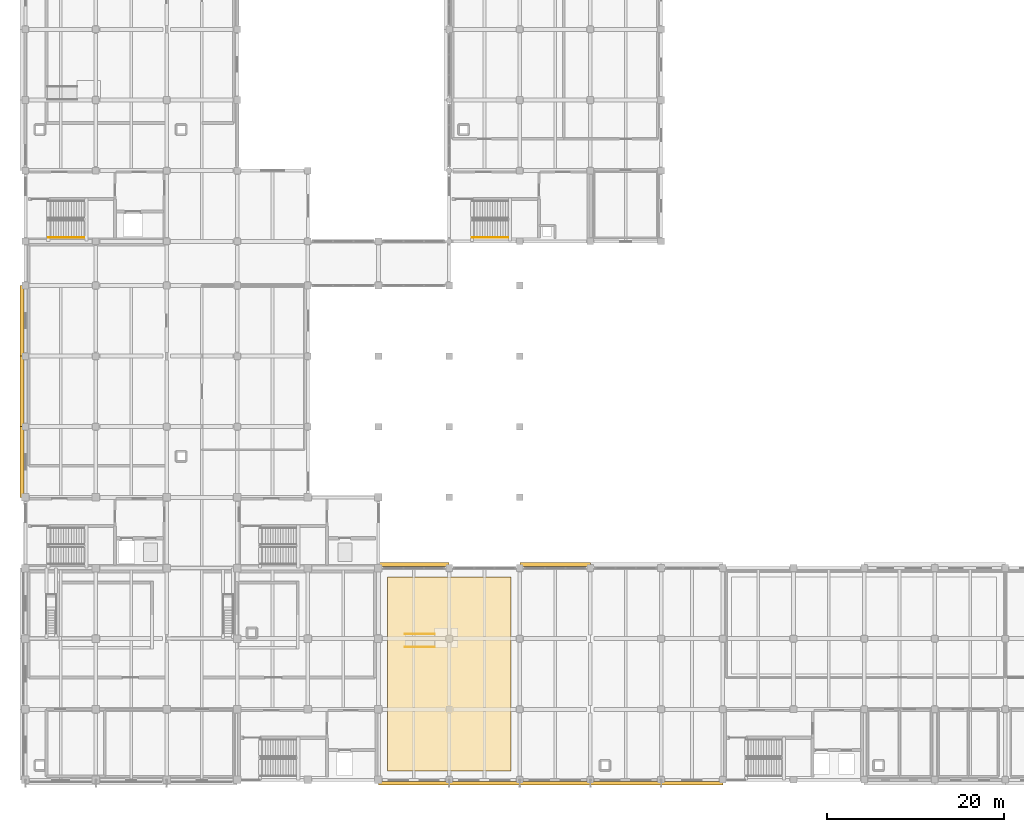
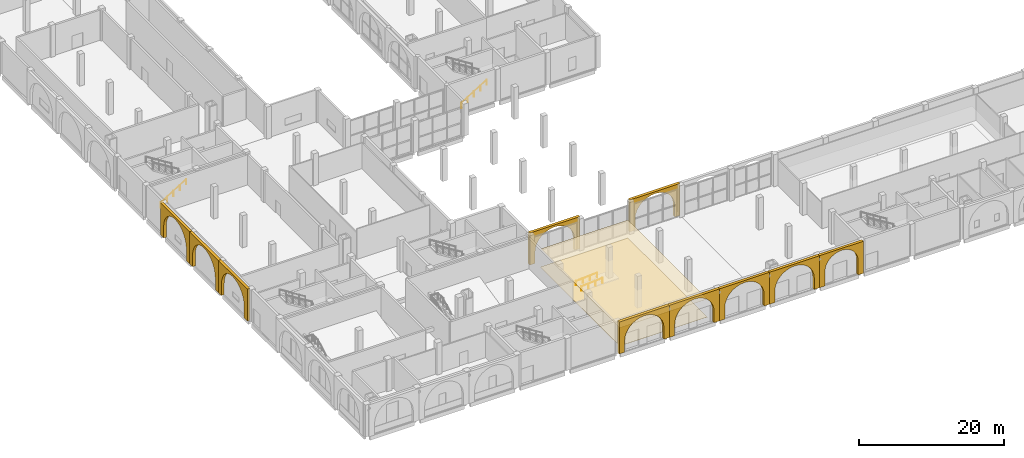
# One storey, part 32 of 40: 12 coverings, 4 railings.
"""IFC4 building model written with IfcOpenShell, lengths in metres."""

from ifc_helpers import new_model, si_unit, direction, frame, origin, origin_2d, place, context, subcontext, project, spatial, polyline, circle, outline, extrude, material, layer, layer_set, type_object, element, save


model = new_model("IFC4")

# Units and contexts
model_context = context("Model", 3, precision=1e-05, world=origin(), true_north=direction((0.0, 1.0)))
body_context = subcontext(model_context, "Body", "Model", "MODEL_VIEW")
ifc_project = project(units=[si_unit("LENGTHUNIT", "METRE"), si_unit("AREAUNIT", "SQUARE_METRE"), si_unit("VOLUMEUNIT", "CUBIC_METRE"), si_unit("PLANEANGLEUNIT", "RADIAN"), si_unit("MASSUNIT", "GRAM", prefix="KILO")], contexts=[model_context])

# Site, building, storey
site_placement = place(None, origin())
site = spatial("IfcSite", under=ifc_project, at=site_placement, CompositionType="ELEMENT")
building_placement = place(site_placement, origin())
building = spatial("IfcBuilding", under=site, at=building_placement, Name="Qorikala Patio Media Centre", CompositionType="ELEMENT")
storey_placement = place(building_placement, origin())
storey = spatial("IfcBuildingStorey", under=building, at=storey_placement, Name="L00", CompositionType="ELEMENT", Elevation=0.0)

# Coverings
ifc_material_1 = material(Name="Perforated Andean Timber Acoustic Ceiling", Category="wood")
ifc_layer_1 = layer(ifc_material_1, 0.0400390625)
ifc_layer_set_1 = layer_set([ifc_layer_1], Name="Perforated Andean Timber Acoustic Ceiling")
covering_type_1 = type_object("IfcCoveringType", Name="COV-CEIL-AC", PredefinedType="CEILING", material=ifc_layer_set_1)
covering_1_placement = place(storey_placement, frame((0.0, 0.0, 3.050048828125)))
element("IfcCovering", 1, at=covering_1_placement, inside=storey, type_object=covering_type_1, Name="L00 Acoustic Timber Ceiling 01", PredefinedType="CEILING", context=body_context, shape_type="SweptSolid", body=[
    extrude(outline(polyline([(44.0, 4.0), (58.0, 4.0), (58.0, 26.0), (44.0, 26.0), (44.0, 4.0)])), origin(), (0.0, 0.0, 1.0), 0.0400390625),
])
ifc_material_2 = material(Name="Comanche Granite Ashlar Stone", Category="masonry")
ifc_layer_2 = layer(ifc_material_2, 0.06005859375)
ifc_layer_set_2 = layer_set([ifc_layer_2], Name="Comanche Granite Ashlar Stone")
covering_type_2 = type_object("IfcCoveringType", Name="COV-CLAD-STONE", PredefinedType="CLADDING", material=ifc_layer_set_2)
for number, where, z_axis, x_axis, name in (
    (2, (43.0, 2.6201171875, 0.0), (0.0, 0.0, 1.0), (1.0, 0.0, 0.0), "Spanish Colonial Stone Arched Arcade PORT-S4"),
    (3, (51.0, 2.6201171875, 0.0), (0.0, 0.0, 1.0), (1.0, 0.0, 0.0), "Spanish Colonial Stone Arched Arcade PORT-S5"),
    (4, (59.0, 2.6201171875, 0.0), (0.0, 0.0, 1.0), (1.0, 0.0, 0.0), "Spanish Colonial Stone Arched Arcade PORT-S6"),
    (5, (67.0, 2.6201171875, 0.0), (0.0, 0.0, 1.0), (1.0, 0.0, 0.0), "Spanish Colonial Stone Arched Arcade PORT-S7"),
):
    element("IfcCovering", number, at=place(storey_placement, frame(where, z_axis=z_axis, x_axis=x_axis)), inside=storey, type_object=covering_type_2, Name=name, PredefinedType="CLADDING", context=body_context, shape_type="SweptSolid", body=[
        extrude(outline(polyline([(0.0, 0.0), (0.85009765625, 0.0), (0.85009765625, 1.929931640625), (0.928955078125, 2.630859375), (1.161865234375, 3.296630859375), (1.537109375, 3.893798828125), (2.035888671875, 4.392578125), (2.63330078125, 4.76806640625), (3.299072265625, 5.0009765625), (4.0, 5.079833984375), (4.700927734375, 5.0009765625), (5.36669921875, 4.76806640625), (5.964111328125, 4.392578125), (6.462890625, 3.893798828125), (6.838134765625, 3.296630859375), (7.071044921875, 2.630859375), (7.14990234375, 1.929931640625), (7.14990234375, 0.0), (8.0, 0.0), (8.0, 5.39990234375), (0.0, 5.39990234375), (0.0, 0.0)])), frame((0.0, 0.219970703125, 0.0), z_axis=(0.0, -1.0, 0.0), x_axis=(1.0, 0.0, 0.0)), (0.0, 0.0, 1.0), 0.43994140625),
    ])
covering_2_placement = place(storey_placement, frame((75.0, 2.6201171875, 0.0), z_axis=(0.0, 0.0, 1.0), x_axis=(1.0, 0.0, 0.0)))
element("IfcCovering", 6, at=covering_2_placement, inside=storey, type_object=covering_type_2, Name="Spanish Colonial Stone Arched Arcade PORT-S8", PredefinedType="CLADDING", context=body_context, shape_type="SweptSolid", body=[
    extrude(outline(polyline([(0.0, 0.0), (0.85009765625, 0.0), (0.85009765625, 2.429931640625), (0.91650390625, 3.01953125), (1.1123046875, 3.57958984375), (1.427978515625, 4.082275390625), (1.847900390625, 4.501708984375), (2.35009765625, 4.8173828125), (2.910400390625, 5.013427734375), (3.5, 5.079833984375), (4.089599609375, 5.013427734375), (4.64990234375, 4.8173828125), (5.152099609375, 4.501708984375), (5.572021484375, 4.082275390625), (5.8876953125, 3.57958984375), (6.08349609375, 3.01953125), (6.14990234375, 2.429931640625), (6.14990234375, 0.0), (7.0, 0.0), (7.0, 5.39990234375), (0.0, 5.39990234375), (0.0, 0.0)])), frame((0.0, 0.219970703125, 0.0), z_axis=(0.0, -1.0, 0.0), x_axis=(1.0, 0.0, 0.0)), (0.0, 0.0, 1.0), 0.43994140625),
])
for number, where, z_axis, x_axis, name in (
    (7, (2.6201171875, 35.0, 0.0), (0.0, 0.0, 1.0), (0.0, 1.0, 0.0), "Spanish Colonial Stone Arched Arcade PORT-W4"),
    (8, (2.6201171875, 43.0, 0.0), (0.0, 0.0, 1.0), (0.0, 1.0, 0.0), "Spanish Colonial Stone Arched Arcade PORT-W5"),
    (9, (2.6201171875, 51.0, 0.0), (0.0, 0.0, 1.0), (0.0, 1.0, 0.0), "Spanish Colonial Stone Arched Arcade PORT-W6"),
    (10, (43.0, 27.3798828125, 0.0), (0.0, 0.0, 1.0), (1.0, 0.0, 0.0), "Spanish Colonial Stone Arched Arcade PORT-P1"),
    (11, (59.0, 27.3798828125, 0.0), (0.0, 0.0, 1.0), (1.0, 0.0, 0.0), "Spanish Colonial Stone Arched Arcade PORT-P2"),
):
    element("IfcCovering", number, at=place(storey_placement, frame(where, z_axis=z_axis, x_axis=x_axis)), inside=storey, type_object=covering_type_2, Name=name, PredefinedType="CLADDING", context=body_context, shape_type="SweptSolid", body=[
        extrude(outline(polyline([(0.0, 0.0), (0.85009765625, 0.0), (0.85009765625, 1.929931640625), (0.928955078125, 2.630859375), (1.161865234375, 3.296630859375), (1.537109375, 3.893798828125), (2.035888671875, 4.392578125), (2.63330078125, 4.76806640625), (3.299072265625, 5.0009765625), (4.0, 5.079833984375), (4.700927734375, 5.0009765625), (5.36669921875, 4.76806640625), (5.964111328125, 4.392578125), (6.462890625, 3.893798828125), (6.838134765625, 3.296630859375), (7.071044921875, 2.630859375), (7.14990234375, 1.929931640625), (7.14990234375, 0.0), (8.0, 0.0), (8.0, 5.39990234375), (0.0, 5.39990234375), (0.0, 0.0)])), frame((0.0, 0.219970703125, 0.0), z_axis=(0.0, -1.0, 0.0), x_axis=(1.0, 0.0, 0.0)), (0.0, 0.0, 1.0), 0.43994140625),
    ])
ifc_material_3 = material(Name="Honed Comanche Granite Flooring", Category="masonry")
ifc_layer_3 = layer(ifc_material_3, 0.034912109375)
ifc_layer_set_3 = layer_set([ifc_layer_3], Name="Honed Comanche Granite Flooring")
covering_type_3 = type_object("IfcCoveringType", Name="COV-FLOR-STONE", PredefinedType="FLOORING", material=ifc_layer_set_3)
covering_3_placement = place(storey_placement, origin())
element("IfcCovering", 12, at=covering_3_placement, inside=storey, type_object=covering_type_3, Name="L00 Honed Comanche Granite Flooring 01", PredefinedType="FLOORING", context=body_context, shape_type="SweptSolid", body=[
    extrude(outline(polyline([(44.0, 4.0), (58.0, 4.0), (58.0, 26.0), (44.0, 26.0), (44.0, 4.0)])), origin(), (0.0, 0.0, 1.0), 0.034912109375),
])

# Railings
ifc_material_4 = material(Name="Brushed Bronze Tubular Steel S355", Category="steel")
railing_type = type_object("IfcRailingType", Name="RL-HAND-090", PredefinedType="HANDRAIL", material=ifc_material_4)
for number, where, name in (
    (13, (5.60009765625, 64.449951171875, 0.179931640625), "L00 ST-3 stair handrail 1"),
    (14, (53.60009765625, 64.449951171875, 0.179931640625), "L00 ST-6 stair handrail 1"),
):
    element("IfcRailing", number, at=place(storey_placement, frame(where)), inside=storey, type_object=railing_type, Name=name, PredefinedType="HANDRAIL", context=body_context, shape_type="SweptSolid", body=[
        extrude(circle(Radius=0.02392578125, at=origin_2d()), frame((0.0, 0.0, 0.8759765625), z_axis=(0.849627535208, 0.0, 0.527383211162), x_axis=(0.0, 1.0, 0.0)), (0.0, 0.0, 1.0), 4.7783203125),
        extrude(circle(Radius=0.02099609375, at=origin_2d()), origin(), (0.0, 0.0, 1.0), 0.851806640625),
        extrude(circle(Radius=0.02099609375, at=origin_2d()), frame((1.014892578125, 0.0, 0.6298828125)), (0.0, 0.0, 1.0), 0.851806640625),
        extrude(circle(Radius=0.02099609375, at=origin_2d()), frame((2.02978515625, 0.0, 1.260009765625)), (0.0, 0.0, 1.0), 0.851806640625),
        extrude(circle(Radius=0.02099609375, at=origin_2d()), frame((3.044921875, 0.0, 1.89013671875)), (0.0, 0.0, 1.0), 0.851806640625),
        extrude(circle(Radius=0.02099609375, at=origin_2d()), frame((4.059814453125, 0.0, 2.52001953125)), (0.0, 0.0, 1.0), 0.851806640625),
    ])
for number, where, name in (
    (15, (46.0, 18.06005859375, 0.0), "RP-04 Accessible Ramp Handrail L"),
    (16, (46.0, 19.5400390625, 0.0), "RP-04 Accessible Ramp Handrail R"),
):
    element("IfcRailing", number, at=place(storey_placement, frame(where)), inside=storey, type_object=railing_type, Name=name, PredefinedType="HANDRAIL", context=body_context, shape_type="SweptSolid", body=[
        extrude(circle(Radius=0.02392578125, at=origin_2d()), frame((0.0, 0.0, 0.8759765625), z_axis=(0.997459067706, 0.0, 0.071241899553), x_axis=(0.0, 1.0, 0.0)), (0.0, 0.0, 1.0), 3.36865234375),
        extrude(circle(Radius=0.02099609375, at=origin_2d()), origin(), (0.0, 0.0, 1.0), 0.851806640625),
        extrude(circle(Radius=0.02099609375, at=origin_2d()), frame((1.1201171875, 0.0, 0.080078125)), (0.0, 0.0, 1.0), 0.851806640625),
        extrude(circle(Radius=0.02099609375, at=origin_2d()), frame((2.239990234375, 0.0, 0.159912109375)), (0.0, 0.0, 1.0), 0.851806640625),
        extrude(circle(Radius=0.02099609375, at=origin_2d()), frame((3.360107421875, 0.0, 0.239990234375)), (0.0, 0.0, 1.0), 0.851806640625),
    ])

save(model, "model.ifc")
